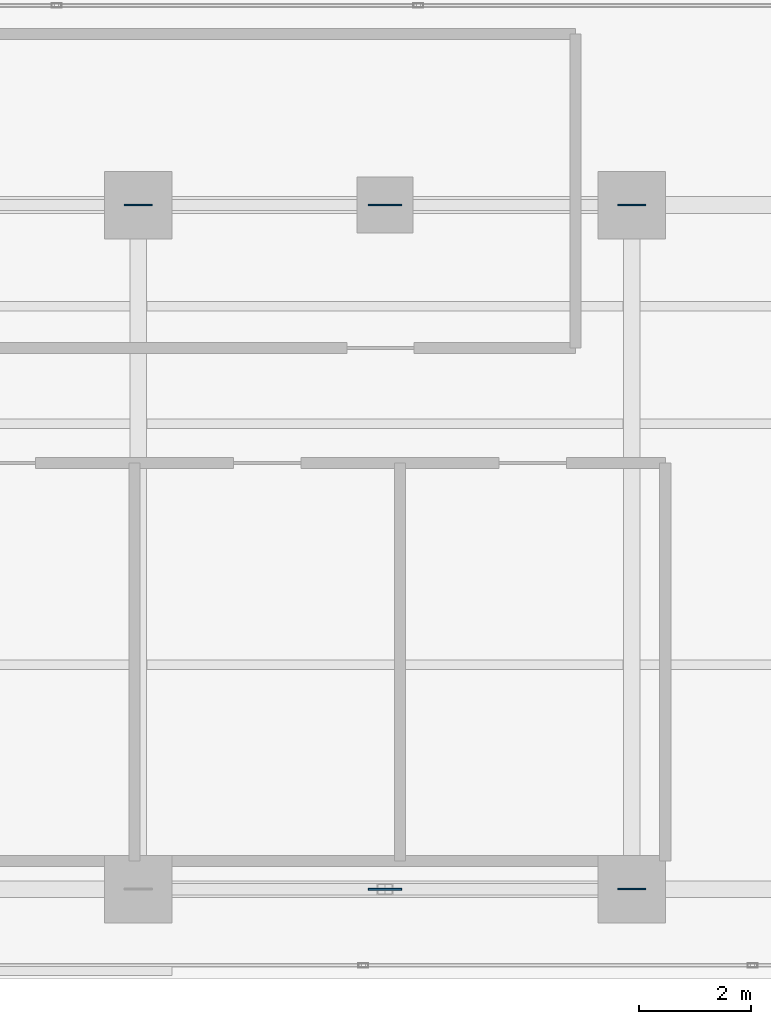
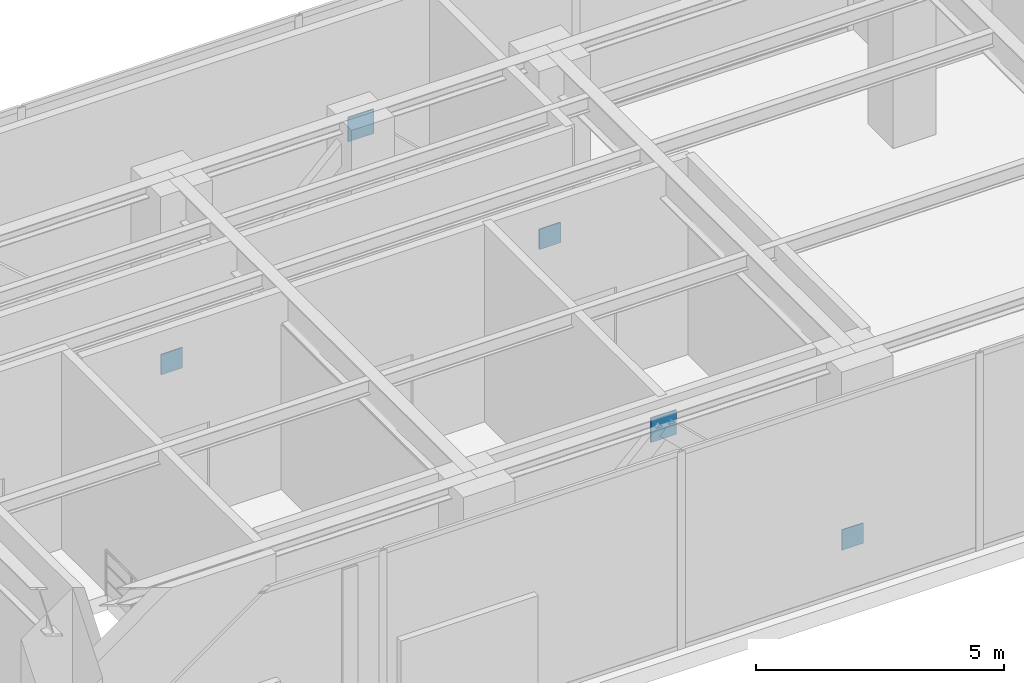
# One storey, part 29 of 36: 5 plates.
"""IFC4 building model written with IfcOpenShell, lengths in metres."""

from ifc_helpers import new_model, si_unit, direction, frame, origin, origin_with_axes, origin_2d, place, context, subcontext, project, spatial, rectangle, extrude, source, transform, mapped, material, layer, layer_set, type_object, element, save


model = new_model("IFC4")

# Units and contexts
model_context = context("Model", 3, precision=1e-05, world=origin(), true_north=direction((0.0, 1.0)))
body_context = subcontext(model_context, "Body", "Model", "MODEL_VIEW")
ifc_project = project(units=[si_unit("LENGTHUNIT", "METRE"), si_unit("AREAUNIT", "SQUARE_METRE"), si_unit("VOLUMEUNIT", "CUBIC_METRE"), si_unit("PLANEANGLEUNIT", "RADIAN"), si_unit("MASSUNIT", "GRAM", prefix="KILO")], contexts=[model_context])

# Site, building, storey
site_placement = place(None, origin())
site = spatial("IfcSite", under=ifc_project, at=site_placement, CompositionType="ELEMENT")
building_placement = place(site_placement, origin())
building = spatial("IfcBuilding", under=site, at=building_placement, Name="Kolvaren Waterfront Exchange", CompositionType="ELEMENT")
storey_placement = place(building_placement, frame((0.0, 0.0, 199.39990234375)))
storey = spatial("IfcBuildingStorey", under=building, at=storey_placement, Name="L51", CompositionType="ELEMENT", Elevation=199.39990234375)

# Plates
ifc_material_1 = material(Name="Steel S460", Category="steel")
ifc_layer_1 = layer(ifc_material_1, 0.030029296875, Name="Steel S460")
ifc_layer_set_1 = layer_set([ifc_layer_1], Name="Steel S460")
plate_type_1 = type_object("IfcPlateType", Name="STR-PL-BN1", PredefinedType="SHEET", material=ifc_layer_set_1)
shared_shape_1 = source(origin_with_axes(), body_context, "Body", "SweptSolid", [
    extrude(rectangle(XDim=0.60009765625, YDim=0.030029296875, at=origin_2d()), origin(), (0.0, 0.0, 1.0), 0.60009765625),
])
for number, where, z_axis, x_axis, name in (
    (1, (41.199951171875, 17.39990234375, 4.2099609375), (0.0, 0.0, 1.0), (1.0, 0.0, 0.0), "L51 belt-truss chevron apex gusset BT2"),
    (2, (41.199951171875, 5.199951171875, 4.2099609375), (0.0, 0.0, 1.0), (1.0, 0.0, 0.0), "L51 belt-truss chevron apex gusset BT3"),
):
    element("IfcPlate", number, at=place(storey_placement, frame(where, z_axis=z_axis, x_axis=x_axis)), inside=storey, type_object=plate_type_1, Name=name, PredefinedType="SHEET", context=body_context, shape_type="MappedRepresentation", body=[
        mapped(shared_shape_1, transform((0.0, 0.0, 0.0), x_axis=(1.0, 0.0, 0.0), y_axis=(0.0, 1.0, 0.0), z_axis=(0.0, 0.0, 1.0), scale=1.0)),
    ])
ifc_material_2 = material(Name="Steel S355", Category="steel")
ifc_layer_2 = layer(ifc_material_2, 0.02490234375, Name="Steel S355")
ifc_layer_set_2 = layer_set([ifc_layer_2], Name="Steel S355")
plate_type_2 = type_object("IfcPlateType", Name="STR-PL-BN2", PredefinedType="SHEET", material=ifc_layer_set_2)
shared_shape_2 = source(origin_with_axes(), body_context, "Body", "SweptSolid", [
    extrude(rectangle(XDim=0.5, YDim=0.02490234375, at=origin_2d()), origin(), (0.0, 0.0, 1.0), 0.5),
])
for number, where, z_axis, x_axis, name in (
    (3, (36.800048828125, 17.39990234375, 0.0), (0.0, 0.0, 1.0), (1.0, 0.0, 0.0), "L51 belt-truss end cap plate BT1.2"),
    (4, (45.60009765625, 17.39990234375, 0.0), (0.0, 0.0, 1.0), (1.0, 0.0, 0.0), "L51 belt-truss end cap plate BT2.2"),
    (5, (45.60009765625, 5.199951171875, 0.0), (0.0, 0.0, 1.0), (1.0, 0.0, 0.0), "L51 belt-truss end cap plate BT3.2"),
):
    element("IfcPlate", number, at=place(storey_placement, frame(where, z_axis=z_axis, x_axis=x_axis)), inside=storey, type_object=plate_type_2, Name=name, PredefinedType="SHEET", context=body_context, shape_type="MappedRepresentation", body=[
        mapped(shared_shape_2, transform((0.0, 0.0, 0.0), x_axis=(1.0, 0.0, 0.0), y_axis=(0.0, 1.0, 0.0), z_axis=(0.0, 0.0, 1.0), scale=1.0)),
    ])

save(model, "model.ifc")
